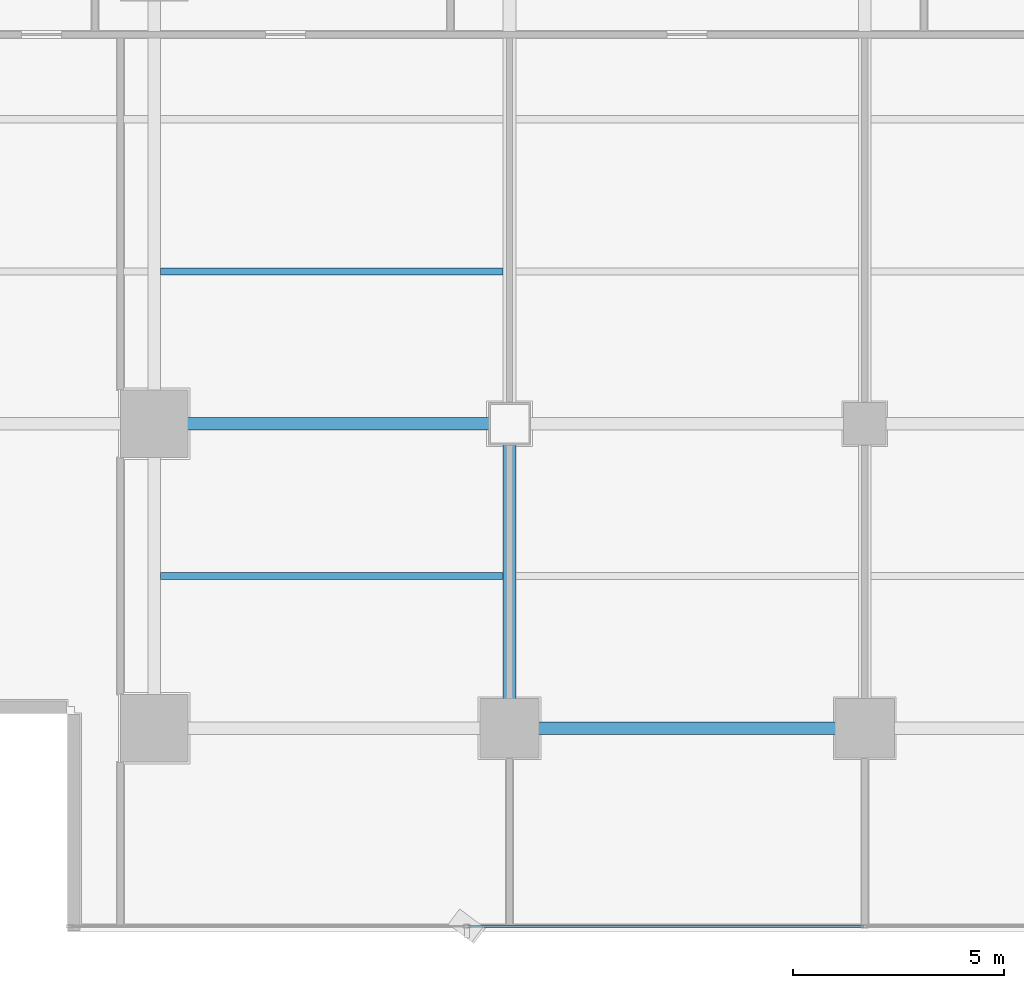
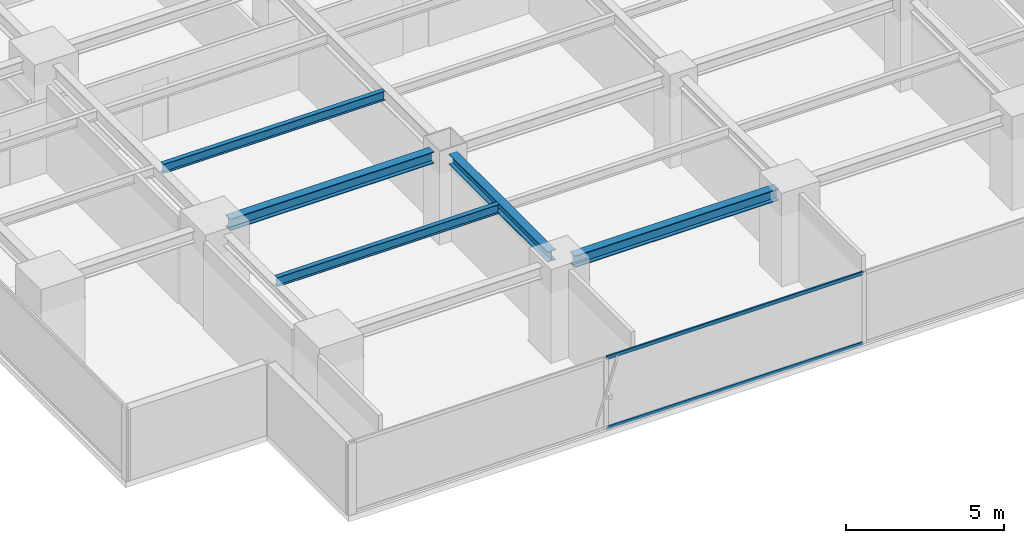
# One storey, part 4 of 28: 5 beams, 2 members, 1 element without a shape of its own.
"""IFC4 building model written with IfcOpenShell, lengths in metres."""

from ifc_helpers import new_model, si_unit, direction, frame, origin, origin_2d, place, context, subcontext, project, spatial, hollow_rectangle, i_section, extrude, source, transform, mapped, material, layer, layer_set, material_profile, profile_set, type_object, element, aggregate, save


model = new_model("IFC4")

# Units and contexts
model_context = context("Model", 3, precision=1e-05, world=origin(), true_north=direction((0.0, 1.0)))
body_context = subcontext(model_context, "Body", "Model", "MODEL_VIEW")
ifc_project = project(units=[si_unit("LENGTHUNIT", "METRE"), si_unit("AREAUNIT", "SQUARE_METRE"), si_unit("VOLUMEUNIT", "CUBIC_METRE"), si_unit("PLANEANGLEUNIT", "RADIAN"), si_unit("MASSUNIT", "GRAM", prefix="KILO")], contexts=[model_context])

# Site, building, storey
site_placement = place(None, origin())
site = spatial("IfcSite", under=ifc_project, at=site_placement, CompositionType="ELEMENT")
building_placement = place(site_placement, origin())
building = spatial("IfcBuilding", under=site, at=building_placement, Name="Sumidabori Civic Tower", CompositionType="ELEMENT")
storey_placement = place(building_placement, frame((0.0, 0.0, 146.0)))
storey = spatial("IfcBuildingStorey", under=building, at=storey_placement, Name="L37", CompositionType="ELEMENT", Elevation=146.0)

# Beams
ifc_material_1 = material(Name="Steel SN490", Category="steel")
ifc_material_profile_1 = material_profile(ifc_material_1, i_section(OverallWidth=0.300048828125, OverallDepth=0.39990234375, WebThickness=0.013427734375, FlangeThickness=0.02392578125, at=origin_2d()), Name="HE 400 B")
ifc_profile_set_1 = profile_set([ifc_material_profile_1], Name="Steel SN490")
beam_type_1 = type_object("IfcBeamType", Name="BM-GIRD-400", PredefinedType="BEAM", material=ifc_profile_set_1)
shared_shape_1 = source(origin(), body_context, "Body", "SweptSolid", [
    extrude(i_section(OverallWidth=0.300048828125, OverallDepth=0.39990234375, WebThickness=0.013427734375, FlangeThickness=0.02392578125, at=origin_2d()), origin(), (0.0, 0.0, 1.0), 6.239990234375),
])
beam_1_placement = place(storey_placement, frame((-8.39990234375, -17.52001953125, 3.179931640625), z_axis=(0.0, 1.0, 0.0), x_axis=(-1.0, 0.0, 0.0)))
element("IfcBeam", 1, at=beam_1_placement, inside=storey, type_object=beam_type_1, Name="Primary Girder L37 GY-26", PredefinedType="BEAM", context=body_context, shape_type="MappedRepresentation", body=[
    mapped(shared_shape_1, transform((0.0, 0.0, 0.0), x_axis=(1.0, 0.0, 0.0), y_axis=(0.0, 1.0, 0.0), z_axis=(0.0, 0.0, 1.0), scale=1.0)),
])
ifc_material_profile_2 = material_profile(ifc_material_1, i_section(OverallWidth=0.169921875, OverallDepth=0.360107421875, WebThickness=0.008056640625, FlangeThickness=0.0126953125, at=origin_2d()), Name="IPE 360")
ifc_profile_set_2 = profile_set([ifc_material_profile_2], Name="Steel SN490")
beam_type_2 = type_object("IfcBeamType", Name="BM-JST-360", PredefinedType="JOIST", material=ifc_profile_set_2)
shared_shape_2 = source(origin(), body_context, "Body", "SweptSolid", [
    extrude(i_section(OverallWidth=0.169921875, OverallDepth=0.360107421875, WebThickness=0.008056640625, FlangeThickness=0.0126953125, at=origin_2d()), origin(), (0.0, 0.0, 1.0), 8.099853515625),
])
for number, where, z_axis, x_axis, name in (
    (2, (-16.64990234375, -14.39990234375, 3.199951171875), (1.0, 0.0, 0.0), (0.0, 1.0, 0.0), "South Bay Floor Joist L37 JSTS-49"),
    (3, (-16.64990234375, -7.199951171875, 3.199951171875), (1.0, 0.0, 0.0), (0.0, 1.0, 0.0), "South Bay Floor Joist L37 JSTS-53"),
):
    element("IfcBeam", number, at=place(storey_placement, frame(where, z_axis=z_axis, x_axis=x_axis)), inside=storey, type_object=beam_type_2, Name=name, PredefinedType="JOIST", context=body_context, shape_type="MappedRepresentation", body=[
        mapped(shared_shape_2, transform((0.0, 0.0, 0.0), x_axis=(1.0, 0.0, 0.0), y_axis=(0.0, 1.0, 0.0), z_axis=(0.0, 0.0, 1.0), scale=1.0)),
    ])
ifc_material_profile_3 = material_profile(ifc_material_1, i_section(OverallWidth=0.300048828125, OverallDepth=0.449951171875, WebThickness=0.013916015625, FlangeThickness=0.02587890625, at=origin_2d()), Name="HE 450 B")
ifc_profile_set_3 = profile_set([ifc_material_profile_3], Name="Steel SN490")
beam_type_3 = type_object("IfcBeamType", Name="BM-GIRD-450", PredefinedType="BEAM", material=ifc_profile_set_3)
shared_shape_3 = source(origin(), body_context, "Body", "SweptSolid", [
    extrude(i_section(OverallWidth=0.300048828125, OverallDepth=0.449951171875, WebThickness=0.013916015625, FlangeThickness=0.02587890625, at=origin_2d()), origin(), (0.0, 0.0, 1.0), 7.440185546875),
])
beam_2_placement = place(storey_placement, frame((-16.320068359375, -10.800048828125, 3.155029296875), z_axis=(1.0, 0.0, 0.0), x_axis=(0.0, 1.0, 0.0)))
element("IfcBeam", 4, at=beam_2_placement, inside=storey, type_object=beam_type_3, Name="Primary Girder L37 GX-06", PredefinedType="BEAM", context=body_context, shape_type="MappedRepresentation", body=[
    mapped(shared_shape_3, transform((0.0, 0.0, 0.0), x_axis=(1.0, 0.0, 0.0), y_axis=(0.0, 1.0, 0.0), z_axis=(0.0, 0.0, 1.0), scale=1.0)),
])
shared_shape_4 = source(origin(), body_context, "Body", "SweptSolid", [
    extrude(i_section(OverallWidth=0.300048828125, OverallDepth=0.449951171875, WebThickness=0.013916015625, FlangeThickness=0.02587890625, at=origin_2d()), origin(), (0.0, 0.0, 1.0), 7.43994140625),
])
beam_3_placement = place(storey_placement, frame((-7.919921875, -18.0, 3.155029296875), z_axis=(1.0, 0.0, 0.0), x_axis=(0.0, 1.0, 0.0)))
element("IfcBeam", 5, at=beam_3_placement, inside=storey, type_object=beam_type_3, Name="Primary Girder L37 GX-02", PredefinedType="BEAM", context=body_context, shape_type="MappedRepresentation", body=[
    mapped(shared_shape_4, transform((0.0, 0.0, 0.0), x_axis=(1.0, 0.0, 0.0), y_axis=(0.0, 1.0, 0.0), z_axis=(0.0, 0.0, 1.0), scale=1.0)),
])

# Curtain wall, members
ifc_material_2 = material(Name="Anodised Bronze Aluminium AW-6063-T6", Category="aluminium")
ifc_layer = layer(ifc_material_2, 0.179931640625, Name="Anodised Bronze Aluminium AW-6063-T6")
ifc_layer_set = layer_set([ifc_layer], Name="Anodised Bronze Aluminium AW-6063-T6")
curtain_wall_type = type_object("IfcCurtainWallType", Name="CW-SYS-3", PredefinedType="NOTDEFINED", material=ifc_layer_set)
curtain_wall_placement = place(storey_placement, origin())
curtain_wall = element("IfcCurtainWall", 6, at=curtain_wall_placement, inside=storey, type_object=curtain_wall_type, Name="Curtain Wall CW:L37:R01", PredefinedType="NOTDEFINED")
ifc_material_profile_4 = material_profile(ifc_material_2, hollow_rectangle(XDim=0.06005859375, YDim=0.1298828125, WallThickness=0.0048828125, at=origin_2d()), Name="ALU TRANSOM 130x60")
ifc_profile_set_4 = profile_set([ifc_material_profile_4], Name="Anodised Bronze Aluminium AW-6063-T6")
member_type = type_object("IfcMemberType", Name="CW-TRN-130", PredefinedType="USERDEFINED", material=ifc_profile_set_4)
shared_shape_5 = source(origin(), body_context, "Body", "SweptSolid", [
    extrude(hollow_rectangle(XDim=0.06005859375, YDim=0.1298828125, WallThickness=0.0048828125, at=origin_2d()), origin(), (0.0, 0.0, 1.0), 9.344970703125),
])
member_1_placement = place(storey_placement, frame((-9.37744140625, -22.679931640625, 0.030029296875), z_axis=(1.0, 0.0, 0.0), x_axis=(0.0, 1.0, 0.0)))
member_1 = element("IfcMember", 7, at=member_1_placement, type_object=member_type, Name="CW-3 transom 2.1", ObjectType="TRANSOM", PredefinedType="USERDEFINED", context=body_context, shape_type="MappedRepresentation", body=[
    mapped(shared_shape_5, transform((0.0, 0.0, 0.0), x_axis=(1.0, 0.0, 0.0), y_axis=(0.0, 1.0, 0.0), z_axis=(0.0, 0.0, 1.0), scale=1.0)),
])
member_2_placement = place(storey_placement, frame((-9.37744140625, -22.679931640625, 2.72998046875), z_axis=(1.0, 0.0, 0.0), x_axis=(0.0, 1.0, 0.0)))
member_2 = element("IfcMember", 8, at=member_2_placement, type_object=member_type, Name="CW-3 transom 2.2", ObjectType="TRANSOM", PredefinedType="USERDEFINED", context=body_context, shape_type="MappedRepresentation", body=[
    mapped(shared_shape_5, transform((0.0, 0.0, 0.0), x_axis=(1.0, 0.0, 0.0), y_axis=(0.0, 1.0, 0.0), z_axis=(0.0, 0.0, 1.0), scale=1.0)),
])
aggregate(curtain_wall, [member_1, member_2])

save(model, "model.ifc")
